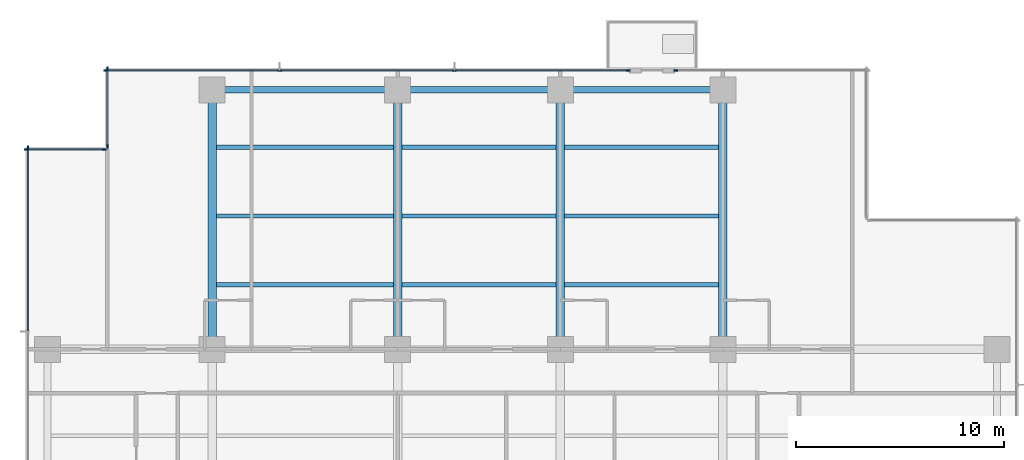
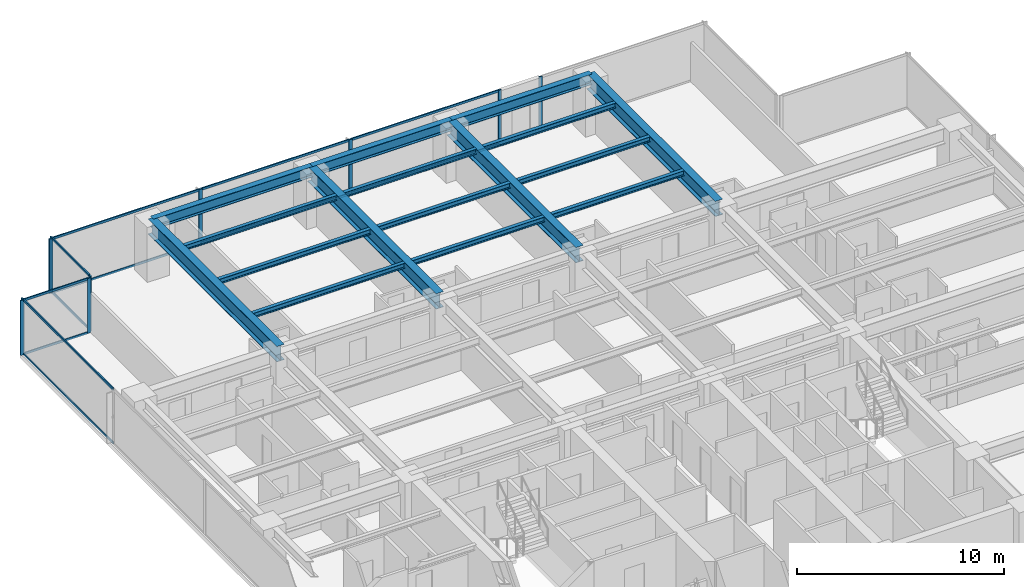
# One storey, part 5 of 17: 22 members, 16 beams, 5 elements without a shape of their own.
"""IFC4 building model written with IfcOpenShell, lengths in metres."""

from ifc_helpers import new_model, si_unit, direction, frame, origin, origin_2d, place, context, subcontext, project, spatial, rectangle, i_section, extrude, material, layer, layer_set, material_profile, profile_set, type_object, element, aggregate, save


model = new_model("IFC4")

# Units and contexts
model_context = context("Model", 3, precision=1e-05, world=origin(), true_north=direction((0.0, 1.0)))
body_context = subcontext(model_context, "Body", "Model", "MODEL_VIEW")
ifc_project = project(units=[si_unit("LENGTHUNIT", "METRE"), si_unit("AREAUNIT", "SQUARE_METRE"), si_unit("VOLUMEUNIT", "CUBIC_METRE"), si_unit("PLANEANGLEUNIT", "RADIAN"), si_unit("MASSUNIT", "GRAM", prefix="KILO")], contexts=[model_context])

# Site, building, storey
site_placement = place(None, origin())
site = spatial("IfcSite", under=ifc_project, at=site_placement, CompositionType="ELEMENT")
building_placement = place(site_placement, origin())
building = spatial("IfcBuilding", under=site, at=building_placement, Name="Qalmaran Belvedere Hotel", CompositionType="ELEMENT")
storey_placement = place(building_placement, frame((0.0, 0.0, 88.199951171875)))
storey = spatial("IfcBuildingStorey", under=building, at=storey_placement, Name="L21", CompositionType="ELEMENT", Elevation=88.199951171875)

# Beams
ifc_material_1 = material(Name="Steel S355JR", Category="steel")
ifc_material_profile_1 = material_profile(ifc_material_1, i_section(OverallWidth=0.202880859375, OverallDepth=0.302978515625, WebThickness=0.007568359375, FlangeThickness=0.01318359375, FilletRadius=0.012939453125, at=origin_2d()), Name="W310X60")
ifc_profile_set_1 = profile_set([ifc_material_profile_1], Name="Steel S355JR")
beam_type_1 = type_object("IfcBeamType", Name="BM-JST-W310X60", PredefinedType="JOIST", material=ifc_profile_set_1)
beam_1_placement = place(storey_placement, frame((20.507080078125, 36.10009765625, 3.088623046875), z_axis=(1.0, 0.0, 0.0), x_axis=(0.0, 1.0, 0.0)))
element("IfcBeam", 1, at=beam_1_placement, inside=storey, type_object=beam_type_1, Name="L21 North Floor Joist 042", PredefinedType="JOIST", context=body_context, shape_type="SweptSolid", body=[
    extrude(i_section(OverallWidth=0.202880859375, OverallDepth=0.302978515625, WebThickness=0.007568359375, FlangeThickness=0.01318359375, FilletRadius=0.012939453125, at=origin_2d()), origin(), (0.0, 0.0, 1.0), 8.48583984375),
])
for number, where, z_axis, x_axis, name in (
    (2, (29.406982421875, 36.10009765625, 3.088623046875), (1.0, 0.0, 0.0), (0.0, 1.0, 0.0), "L21 North Floor Joist 043"),
    (3, (37.20703125, 36.10009765625, 3.088623046875), (1.0, 0.0, 0.0), (0.0, 1.0, 0.0), "L21 North Floor Joist 044"),
):
    element("IfcBeam", number, at=place(storey_placement, frame(where, z_axis=z_axis, x_axis=x_axis)), inside=storey, type_object=beam_type_1, Name=name, PredefinedType="JOIST", context=body_context, shape_type="SweptSolid", body=[
        extrude(i_section(OverallWidth=0.202880859375, OverallDepth=0.302978515625, WebThickness=0.007568359375, FlangeThickness=0.01318359375, FilletRadius=0.012939453125, at=origin_2d()), origin(), (0.0, 0.0, 1.0), 7.385986328125),
    ])
beam_2_placement = place(storey_placement, frame((20.507080078125, 39.39990234375, 3.088623046875), z_axis=(1.0, 0.0, 0.0), x_axis=(0.0, 1.0, 0.0)))
element("IfcBeam", 4, at=beam_2_placement, inside=storey, type_object=beam_type_1, Name="L21 North Floor Joist 045", PredefinedType="JOIST", context=body_context, shape_type="SweptSolid", body=[
    extrude(i_section(OverallWidth=0.202880859375, OverallDepth=0.302978515625, WebThickness=0.007568359375, FlangeThickness=0.01318359375, FilletRadius=0.012939453125, at=origin_2d()), origin(), (0.0, 0.0, 1.0), 8.48583984375),
])
for number, where, z_axis, x_axis, name in (
    (5, (29.406982421875, 39.39990234375, 3.088623046875), (1.0, 0.0, 0.0), (0.0, 1.0, 0.0), "L21 North Floor Joist 046"),
    (6, (37.20703125, 39.39990234375, 3.088623046875), (1.0, 0.0, 0.0), (0.0, 1.0, 0.0), "L21 North Floor Joist 047"),
):
    element("IfcBeam", number, at=place(storey_placement, frame(where, z_axis=z_axis, x_axis=x_axis)), inside=storey, type_object=beam_type_1, Name=name, PredefinedType="JOIST", context=body_context, shape_type="SweptSolid", body=[
        extrude(i_section(OverallWidth=0.202880859375, OverallDepth=0.302978515625, WebThickness=0.007568359375, FlangeThickness=0.01318359375, FilletRadius=0.012939453125, at=origin_2d()), origin(), (0.0, 0.0, 1.0), 7.385986328125),
    ])
beam_3_placement = place(storey_placement, frame((20.507080078125, 42.699951171875, 3.088623046875), z_axis=(1.0, 0.0, 0.0), x_axis=(0.0, 1.0, 0.0)))
element("IfcBeam", 7, at=beam_3_placement, inside=storey, type_object=beam_type_1, Name="L21 North Floor Joist 048", PredefinedType="JOIST", context=body_context, shape_type="SweptSolid", body=[
    extrude(i_section(OverallWidth=0.202880859375, OverallDepth=0.302978515625, WebThickness=0.007568359375, FlangeThickness=0.01318359375, FilletRadius=0.012939453125, at=origin_2d()), origin(), (0.0, 0.0, 1.0), 8.48583984375),
])
for number, where, z_axis, x_axis, name in (
    (8, (29.406982421875, 42.699951171875, 3.088623046875), (1.0, 0.0, 0.0), (0.0, 1.0, 0.0), "L21 North Floor Joist 049"),
    (9, (37.20703125, 42.699951171875, 3.088623046875), (1.0, 0.0, 0.0), (0.0, 1.0, 0.0), "L21 North Floor Joist 050"),
):
    element("IfcBeam", number, at=place(storey_placement, frame(where, z_axis=z_axis, x_axis=x_axis)), inside=storey, type_object=beam_type_1, Name=name, PredefinedType="JOIST", context=body_context, shape_type="SweptSolid", body=[
        extrude(i_section(OverallWidth=0.202880859375, OverallDepth=0.302978515625, WebThickness=0.007568359375, FlangeThickness=0.01318359375, FilletRadius=0.012939453125, at=origin_2d()), origin(), (0.0, 0.0, 1.0), 7.385986328125),
    ])
ifc_material_profile_2 = material_profile(ifc_material_1, i_section(OverallWidth=0.41796875, OverallDepth=0.912109375, WebThickness=0.019287109375, FlangeThickness=0.031982421875, FilletRadius=0.02392578125, at=origin_2d()), Name="W920X342")
ifc_profile_set_2 = profile_set([ifc_material_profile_2], Name="Steel S355JR")
beam_type_2 = type_object("IfcBeamType", Name="BM-PG2-W920X342", PredefinedType="USERDEFINED", material=ifc_profile_set_2)
for number, where, z_axis, x_axis, name in (
    (10, (20.300048828125, 33.0, 2.783935546875), (0.0, 1.0, 0.0), (-1.0, 0.0, 0.0), "L21 North Bay Girder 15"),
    (11, (29.199951171875, 33.0, 2.783935546875), (0.0, 1.0, 0.0), (-1.0, 0.0, 0.0), "L21 North Bay Girder 17"),
    (12, (37.0, 33.0, 2.783935546875), (0.0, 1.0, 0.0), (-1.0, 0.0, 0.0), "L21 North Bay Girder 19"),
    (13, (44.800048828125, 33.0, 2.783935546875), (0.0, 1.0, 0.0), (-1.0, 0.0, 0.0), "L21 North Bay Girder 21"),
):
    element("IfcBeam", number, at=place(storey_placement, frame(where, z_axis=z_axis, x_axis=x_axis)), inside=storey, type_object=beam_type_2, Name=name, ObjectType="GIRDER", PredefinedType="USERDEFINED", context=body_context, shape_type="SweptSolid", body=[
        extrude(i_section(OverallWidth=0.41796875, OverallDepth=0.912109375, WebThickness=0.019287109375, FlangeThickness=0.031982421875, FilletRadius=0.02392578125, at=origin_2d()), origin(), (0.0, 0.0, 1.0), 12.449951171875),
    ])
ifc_material_profile_3 = material_profile(ifc_material_1, i_section(OverallWidth=0.326904296875, OverallDepth=0.6220703125, WebThickness=0.015380859375, FlangeThickness=0.0244140625, FilletRadius=0.02001953125, at=origin_2d()), Name="W610X195")
ifc_profile_set_3 = profile_set([ifc_material_profile_3], Name="Steel S355JR")
beam_type_3 = type_object("IfcBeamType", Name="BM-SP1-W610X195", PredefinedType="SPANDREL", material=ifc_profile_set_3)
beam_4_placement = place(storey_placement, frame((20.300048828125, 45.449951171875, 2.928955078125), z_axis=(1.0, 0.0, 0.0), x_axis=(0.0, 1.0, 0.0)))
element("IfcBeam", 14, at=beam_4_placement, inside=storey, type_object=beam_type_3, Name="L21 Perimeter Spandrel 05", PredefinedType="SPANDREL", context=body_context, shape_type="SweptSolid", body=[
    extrude(i_section(OverallWidth=0.326904296875, OverallDepth=0.6220703125, WebThickness=0.015380859375, FlangeThickness=0.0244140625, FilletRadius=0.02001953125, at=origin_2d()), origin(), (0.0, 0.0, 1.0), 8.89990234375),
])
for number, where, z_axis, x_axis, name in (
    (15, (29.199951171875, 45.449951171875, 2.928955078125), (1.0, 0.0, 0.0), (0.0, 1.0, 0.0), "L21 Perimeter Spandrel 06"),
    (16, (37.0, 45.449951171875, 2.928955078125), (1.0, 0.0, 0.0), (0.0, 1.0, 0.0), "L21 Perimeter Spandrel 07"),
):
    element("IfcBeam", number, at=place(storey_placement, frame(where, z_axis=z_axis, x_axis=x_axis)), inside=storey, type_object=beam_type_3, Name=name, PredefinedType="SPANDREL", context=body_context, shape_type="SweptSolid", body=[
        extrude(i_section(OverallWidth=0.326904296875, OverallDepth=0.6220703125, WebThickness=0.015380859375, FlangeThickness=0.0244140625, FilletRadius=0.02001953125, at=origin_2d()), origin(), (0.0, 0.0, 1.0), 7.800048828125),
    ])

# Curtain wall, members
ifc_material_2 = material(Name="Anodised Bronze Aluminium", Category="aluminium")
ifc_layer = layer(ifc_material_2, 0.199951171875, Name="Anodised Bronze Aluminium")
ifc_layer_set = layer_set([ifc_layer], Name="Anodised Bronze Aluminium")
curtain_wall_type = type_object("IfcCurtainWallType", Name="CW3-TOWER-LOWMID", PredefinedType="NOTDEFINED", material=ifc_layer_set)
curtain_wall_1_placement = place(storey_placement, origin())
curtain_wall_1 = element("IfcCurtainWall", 17, at=curtain_wall_1_placement, inside=storey, type_object=curtain_wall_type, Name="L21 Curtain Wall CW3", PredefinedType="NOTDEFINED")
ifc_material_profile_4 = material_profile(ifc_material_2, rectangle(XDim=0.070068359375, YDim=0.18994140625, at=origin_2d()), Name="CWM70X190")
ifc_profile_set_4 = profile_set([ifc_material_profile_4], Name="Anodised Bronze Aluminium")
member_type_1 = type_object("IfcMemberType", Name="CWM-70X190", PredefinedType="MULLION", material=ifc_profile_set_4)
member_1_placement = place(storey_placement, frame((40.264892578125, 46.3798828125, 0.0), z_axis=(0.0, 0.0, 1.0), x_axis=(0.0, -1.0, 0.0)))
member_1 = element("IfcMember", 18, at=member_1_placement, type_object=member_type_1, Name="CW3 mullion 1", PredefinedType="MULLION", context=body_context, shape_type="SweptSolid", body=[
    extrude(rectangle(XDim=0.070068359375, YDim=0.18994140625, at=origin_2d()), origin(), (0.0, 0.0, 1.0), 3.239990234375),
])
member_2_placement = place(storey_placement, frame((31.916748046875, 46.3798828125, 0.0), z_axis=(0.0, 0.0, 1.0), x_axis=(0.0, -1.0, 0.0)))
member_2 = element("IfcMember", 19, at=member_2_placement, type_object=member_type_1, Name="CW3 mullion 2", PredefinedType="MULLION", context=body_context, shape_type="SweptSolid", body=[
    extrude(rectangle(XDim=0.070068359375, YDim=0.18994140625, at=origin_2d()), origin(), (0.0, 0.0, 1.0), 3.239990234375),
])
member_3_placement = place(storey_placement, frame((23.533447265625, 46.3798828125, 0.0), z_axis=(0.0, 0.0, 1.0), x_axis=(0.0, -1.0, 0.0)))
member_3 = element("IfcMember", 20, at=member_3_placement, type_object=member_type_1, Name="CW3 mullion 3", PredefinedType="MULLION", context=body_context, shape_type="SweptSolid", body=[
    extrude(rectangle(XDim=0.070068359375, YDim=0.18994140625, at=origin_2d()), origin(), (0.0, 0.0, 1.0), 3.239990234375),
])
member_4_placement = place(storey_placement, frame((15.18505859375, 46.3798828125, 0.0), z_axis=(0.0, 0.0, 1.0), x_axis=(0.0, -1.0, 0.0)))
member_4 = element("IfcMember", 21, at=member_4_placement, type_object=member_type_1, Name="CW3 mullion 4", PredefinedType="MULLION", context=body_context, shape_type="SweptSolid", body=[
    extrude(rectangle(XDim=0.070068359375, YDim=0.18994140625, at=origin_2d()), origin(), (0.0, 0.0, 1.0), 3.239990234375),
])

# Curtain wall, member
curtain_wall_2_placement = place(storey_placement, origin())
curtain_wall_2 = element("IfcCurtainWall", 22, at=curtain_wall_2_placement, inside=storey, type_object=curtain_wall_type, Name="L21 Curtain Wall CW3", PredefinedType="NOTDEFINED")
member_5_placement = place(storey_placement, frame((42.534912109375, 46.3798828125, 0.0), z_axis=(0.0, 0.0, 1.0), x_axis=(0.0, -1.0, 0.0)))
member_5 = element("IfcMember", 23, at=member_5_placement, type_object=member_type_1, Name="CW3 mullion 2", PredefinedType="MULLION", context=body_context, shape_type="SweptSolid", body=[
    extrude(rectangle(XDim=0.070068359375, YDim=0.18994140625, at=origin_2d()), origin(), (0.0, 0.0, 1.0), 3.239990234375),
])
aggregate(curtain_wall_2, [member_5])

# Curtain wall, members
curtain_wall_3_placement = place(storey_placement, origin())
curtain_wall_3 = element("IfcCurtainWall", 24, at=curtain_wall_3_placement, inside=storey, type_object=curtain_wall_type, Name="L21 Curtain Wall CW3", PredefinedType="NOTDEFINED")
member_6_placement = place(storey_placement, frame((15.27001953125, 46.465087890625, 0.0), z_axis=(0.0, 0.0, 1.0), x_axis=(1.0, 0.0, 0.0)))
member_6 = element("IfcMember", 25, at=member_6_placement, type_object=member_type_1, Name="CW3 mullion 1", PredefinedType="MULLION", context=body_context, shape_type="SweptSolid", body=[
    extrude(rectangle(XDim=0.070068359375, YDim=0.18994140625, at=origin_2d()), origin(), (0.0, 0.0, 1.0), 3.239990234375),
])
member_7_placement = place(storey_placement, frame((15.27001953125, 42.735107421875, 0.0), z_axis=(0.0, 0.0, 1.0), x_axis=(1.0, 0.0, 0.0)))
member_7 = element("IfcMember", 26, at=member_7_placement, type_object=member_type_1, Name="CW3 mullion 2", PredefinedType="MULLION", context=body_context, shape_type="SweptSolid", body=[
    extrude(rectangle(XDim=0.070068359375, YDim=0.18994140625, at=origin_2d()), origin(), (0.0, 0.0, 1.0), 3.239990234375),
])

curtain_wall_4_placement = place(storey_placement, origin())
curtain_wall_4 = element("IfcCurtainWall", 27, at=curtain_wall_4_placement, inside=storey, type_object=curtain_wall_type, Name="L21 Curtain Wall CW3", PredefinedType="NOTDEFINED")
member_8_placement = place(storey_placement, frame((15.114990234375, 42.580078125, 0.0), z_axis=(0.0, 0.0, 1.0), x_axis=(0.0, -1.0, 0.0)))
member_8 = element("IfcMember", 28, at=member_8_placement, type_object=member_type_1, Name="CW3 mullion 1", PredefinedType="MULLION", context=body_context, shape_type="SweptSolid", body=[
    extrude(rectangle(XDim=0.070068359375, YDim=0.18994140625, at=origin_2d()), origin(), (0.0, 0.0, 1.0), 3.239990234375),
])
member_9_placement = place(storey_placement, frame((11.385009765625, 42.580078125, 0.0), z_axis=(0.0, 0.0, 1.0), x_axis=(0.0, -1.0, 0.0)))
member_9 = element("IfcMember", 29, at=member_9_placement, type_object=member_type_1, Name="CW3 mullion 2", PredefinedType="MULLION", context=body_context, shape_type="SweptSolid", body=[
    extrude(rectangle(XDim=0.070068359375, YDim=0.18994140625, at=origin_2d()), origin(), (0.0, 0.0, 1.0), 3.239990234375),
])

# Curtain wall, member
curtain_wall_5_placement = place(storey_placement, origin())
curtain_wall_5 = element("IfcCurtainWall", 30, at=curtain_wall_5_placement, inside=storey, type_object=curtain_wall_type, Name="L21 Curtain Wall CW3", PredefinedType="NOTDEFINED")
member_10_placement = place(storey_placement, frame((11.469970703125, 42.6650390625, 0.0), z_axis=(0.0, 0.0, 1.0), x_axis=(1.0, 0.0, 0.0)))
member_10 = element("IfcMember", 31, at=member_10_placement, type_object=member_type_1, Name="CW3 mullion 1", PredefinedType="MULLION", context=body_context, shape_type="SweptSolid", body=[
    extrude(rectangle(XDim=0.070068359375, YDim=0.18994140625, at=origin_2d()), origin(), (0.0, 0.0, 1.0), 3.239990234375),
])

# Member
ifc_material_profile_5 = material_profile(ifc_material_2, rectangle(XDim=0.06494140625, YDim=0.1298828125, at=origin_2d()), Name="CWT65X130")
ifc_profile_set_5 = profile_set([ifc_material_profile_5], Name="Anodised Bronze Aluminium")
member_type_2 = type_object("IfcMemberType", Name="CWT-65X130", PredefinedType="USERDEFINED", material=ifc_profile_set_5)
member_11_placement = place(storey_placement, frame((40.22998046875, 46.3798828125, 0.032470703125), z_axis=(-1.0, 0.0, 0.0), x_axis=(0.0, -1.0, 0.0)))
member_11 = element("IfcMember", 32, at=member_11_placement, type_object=member_type_2, Name="CW3 transom 1.1", ObjectType="TRANSOM", PredefinedType="USERDEFINED", context=body_context, shape_type="SweptSolid", body=[
    extrude(rectangle(XDim=0.06494140625, YDim=0.1298828125, at=origin_2d()), origin(), (0.0, 0.0, 1.0), 8.2783203125),
])

member_12_placement = place(storey_placement, frame((40.22998046875, 46.3798828125, 3.20751953125), z_axis=(-1.0, 0.0, 0.0), x_axis=(0.0, -1.0, 0.0)))
member_12 = element("IfcMember", 33, at=member_12_placement, type_object=member_type_2, Name="CW3 transom 1.2", ObjectType="TRANSOM", PredefinedType="USERDEFINED", context=body_context, shape_type="SweptSolid", body=[
    extrude(rectangle(XDim=0.06494140625, YDim=0.1298828125, at=origin_2d()), origin(), (0.0, 0.0, 1.0), 8.2783203125),
])

member_13_placement = place(storey_placement, frame((31.881591796875, 46.3798828125, 0.032470703125), z_axis=(-1.0, 0.0, 0.0), x_axis=(0.0, -1.0, 0.0)))
member_13 = element("IfcMember", 34, at=member_13_placement, type_object=member_type_2, Name="CW3 transom 2.1", ObjectType="TRANSOM", PredefinedType="USERDEFINED", context=body_context, shape_type="SweptSolid", body=[
    extrude(rectangle(XDim=0.06494140625, YDim=0.1298828125, at=origin_2d()), origin(), (0.0, 0.0, 1.0), 8.313232421875),
])

member_14_placement = place(storey_placement, frame((31.881591796875, 46.3798828125, 3.20751953125), z_axis=(-1.0, 0.0, 0.0), x_axis=(0.0, -1.0, 0.0)))
member_14 = element("IfcMember", 35, at=member_14_placement, type_object=member_type_2, Name="CW3 transom 2.2", ObjectType="TRANSOM", PredefinedType="USERDEFINED", context=body_context, shape_type="SweptSolid", body=[
    extrude(rectangle(XDim=0.06494140625, YDim=0.1298828125, at=origin_2d()), origin(), (0.0, 0.0, 1.0), 8.313232421875),
])

member_15_placement = place(storey_placement, frame((23.498291015625, 46.3798828125, 0.032470703125), z_axis=(-1.0, 0.0, 0.0), x_axis=(0.0, -1.0, 0.0)))
member_15 = element("IfcMember", 36, at=member_15_placement, type_object=member_type_2, Name="CW3 transom 3.1", ObjectType="TRANSOM", PredefinedType="USERDEFINED", context=body_context, shape_type="SweptSolid", body=[
    extrude(rectangle(XDim=0.06494140625, YDim=0.1298828125, at=origin_2d()), origin(), (0.0, 0.0, 1.0), 8.2783203125),
])

member_16_placement = place(storey_placement, frame((23.498291015625, 46.3798828125, 3.20751953125), z_axis=(-1.0, 0.0, 0.0), x_axis=(0.0, -1.0, 0.0)))
member_16 = element("IfcMember", 37, at=member_16_placement, type_object=member_type_2, Name="CW3 transom 3.2", ObjectType="TRANSOM", PredefinedType="USERDEFINED", context=body_context, shape_type="SweptSolid", body=[
    extrude(rectangle(XDim=0.06494140625, YDim=0.1298828125, at=origin_2d()), origin(), (0.0, 0.0, 1.0), 8.2783203125),
])

aggregate(curtain_wall_1, [member_1, member_2, member_3, member_4, member_11, member_12, member_13, member_14, member_15, member_16])

member_17_placement = place(storey_placement, frame((15.27001953125, 46.429931640625, 0.032470703125), z_axis=(0.0, -1.0, 0.0), x_axis=(1.0, 0.0, 0.0)))
member_17 = element("IfcMember", 38, at=member_17_placement, type_object=member_type_2, Name="CW3 transom 1.1", ObjectType="TRANSOM", PredefinedType="USERDEFINED", context=body_context, shape_type="SweptSolid", body=[
    extrude(rectangle(XDim=0.06494140625, YDim=0.1298828125, at=origin_2d()), origin(), (0.0, 0.0, 1.0), 3.659912109375),
])

member_18_placement = place(storey_placement, frame((15.27001953125, 46.429931640625, 3.20751953125), z_axis=(0.0, -1.0, 0.0), x_axis=(1.0, 0.0, 0.0)))
member_18 = element("IfcMember", 39, at=member_18_placement, type_object=member_type_2, Name="CW3 transom 1.2", ObjectType="TRANSOM", PredefinedType="USERDEFINED", context=body_context, shape_type="SweptSolid", body=[
    extrude(rectangle(XDim=0.06494140625, YDim=0.1298828125, at=origin_2d()), origin(), (0.0, 0.0, 1.0), 3.659912109375),
])

aggregate(curtain_wall_3, [member_6, member_7, member_17, member_18])

member_19_placement = place(storey_placement, frame((15.080078125, 42.580078125, 0.032470703125), z_axis=(-1.0, 0.0, 0.0), x_axis=(0.0, -1.0, 0.0)))
member_19 = element("IfcMember", 40, at=member_19_placement, type_object=member_type_2, Name="CW3 transom 1.1", ObjectType="TRANSOM", PredefinedType="USERDEFINED", context=body_context, shape_type="SweptSolid", body=[
    extrude(rectangle(XDim=0.06494140625, YDim=0.1298828125, at=origin_2d()), origin(), (0.0, 0.0, 1.0), 3.66015625),
])

member_20_placement = place(storey_placement, frame((15.080078125, 42.580078125, 3.20751953125), z_axis=(-1.0, 0.0, 0.0), x_axis=(0.0, -1.0, 0.0)))
member_20 = element("IfcMember", 41, at=member_20_placement, type_object=member_type_2, Name="CW3 transom 1.2", ObjectType="TRANSOM", PredefinedType="USERDEFINED", context=body_context, shape_type="SweptSolid", body=[
    extrude(rectangle(XDim=0.06494140625, YDim=0.1298828125, at=origin_2d()), origin(), (0.0, 0.0, 1.0), 3.66015625),
])

aggregate(curtain_wall_4, [member_8, member_9, member_19, member_20])

member_21_placement = place(storey_placement, frame((11.469970703125, 42.6298828125, 0.032470703125), z_axis=(0.0, -1.0, 0.0), x_axis=(1.0, 0.0, 0.0)))
member_21 = element("IfcMember", 42, at=member_21_placement, type_object=member_type_2, Name="CW3 transom 1.1", ObjectType="TRANSOM", PredefinedType="USERDEFINED", context=body_context, shape_type="SweptSolid", body=[
    extrude(rectangle(XDim=0.06494140625, YDim=0.1298828125, at=origin_2d()), origin(), (0.0, 0.0, 1.0), 8.744873046875),
])

member_22_placement = place(storey_placement, frame((11.469970703125, 42.6298828125, 3.20751953125), z_axis=(0.0, -1.0, 0.0), x_axis=(1.0, 0.0, 0.0)))
member_22 = element("IfcMember", 43, at=member_22_placement, type_object=member_type_2, Name="CW3 transom 1.2", ObjectType="TRANSOM", PredefinedType="USERDEFINED", context=body_context, shape_type="SweptSolid", body=[
    extrude(rectangle(XDim=0.06494140625, YDim=0.1298828125, at=origin_2d()), origin(), (0.0, 0.0, 1.0), 8.744873046875),
])

aggregate(curtain_wall_5, [member_10, member_21, member_22])

save(model, "model.ifc")
